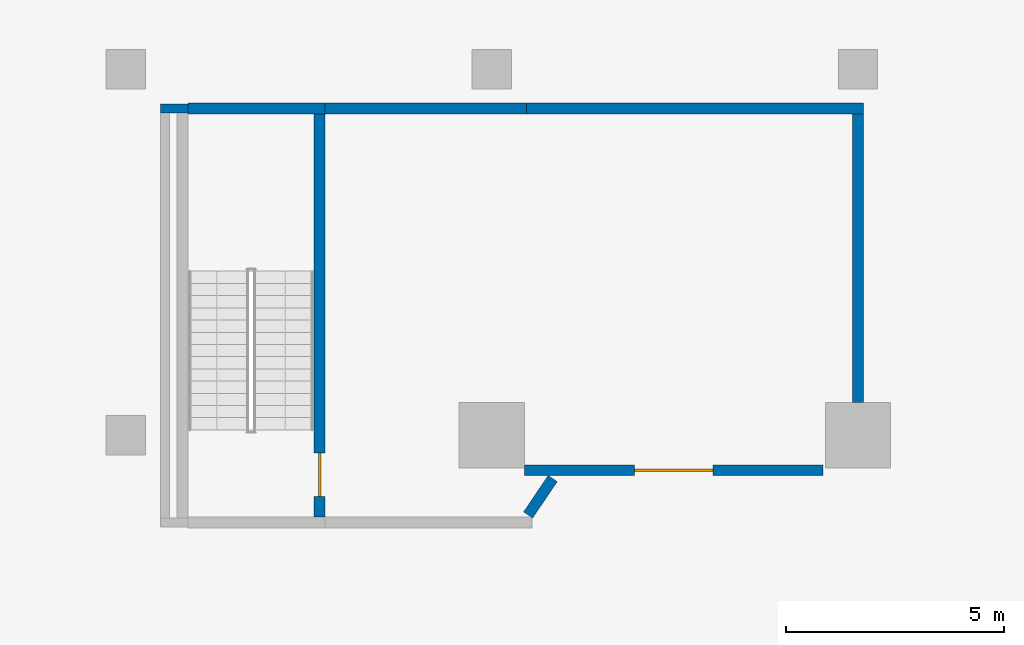
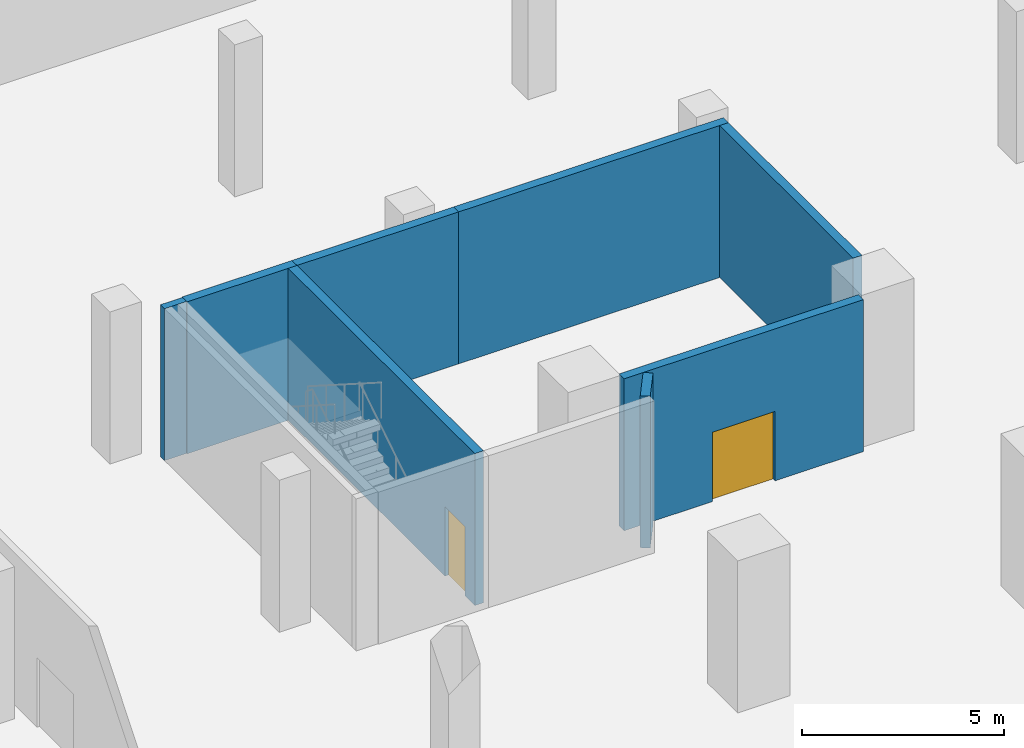
# One storey, part 8 of 20: 8 walls, 2 doors, 2 openings.
"""IFC4 building model written with IfcOpenShell, lengths in metres."""

from ifc_helpers import new_model, si_unit, direction, frame, frame_2d, origin, place, context, subcontext, project, spatial, rectangle, extrude, material, layer, layer_set, type_object, element, fill, save


model = new_model("IFC4")

# Units and contexts
model_context = context("Model", 3, precision=1e-05, world=origin(), true_north=direction((0.0, 1.0)))
body_context = subcontext(model_context, "Body", "Model", "MODEL_VIEW")
ifc_project = project(units=[si_unit("LENGTHUNIT", "METRE"), si_unit("AREAUNIT", "SQUARE_METRE"), si_unit("VOLUMEUNIT", "CUBIC_METRE"), si_unit("PLANEANGLEUNIT", "RADIAN"), si_unit("MASSUNIT", "GRAM", prefix="KILO")], contexts=[model_context])

# Site, building, storey
site_placement = place(None, origin())
site = spatial("IfcSite", under=ifc_project, at=site_placement, CompositionType="ELEMENT")
building_placement = place(site_placement, origin())
building = spatial("IfcBuilding", under=site, at=building_placement, Name="Cantera Rosa Tower", CompositionType="ELEMENT")
storey_placement = place(building_placement, frame((0.0, 0.0, -5.0)))
storey = spatial("IfcBuildingStorey", under=building, at=storey_placement, Name="B1", CompositionType="ELEMENT", Elevation=-5.0)

# Walls
ifc_material_1 = material(Name="Masonry blockwork", Category="masonry")
ifc_layer_1 = layer(ifc_material_1, 0.199951171875)
ifc_layer_set_1 = layer_set([ifc_layer_1], Name="Blockwork partition 200")
wall_type_1 = type_object("IfcWallType", Name="Blockwork partition 200", PredefinedType="PARTITIONING", material=ifc_layer_set_1)
wall_1_placement = place(storey_placement, frame((-32.800048828125, 28.5, 0.0), z_axis=(0.0, 0.0, 1.0), x_axis=(1.0, 0.0, 0.0)))
element("IfcWall", 1, at=wall_1_placement, inside=storey, type_object=wall_type_1, Name="Partition B1-18", PredefinedType="PARTITIONING", context=body_context, shape_type="SweptSolid", body=[
    extrude(rectangle(XDim=0.625, YDim=0.199951171875, at=frame_2d((0.3125, 0.0))), origin(), (0.0, 0.0, 1.0), 4.60009765625),
])
ifc_material_2 = material(Name="Concrete C50/60", Category="concrete")
ifc_layer_2 = layer(ifc_material_2, 0.25)
ifc_layer_set_2 = layer_set([ifc_layer_2], Name="External stair wall 250")
wall_type_2 = type_object("IfcWallType", Name="External stair wall 250", PredefinedType="SOLIDWALL", material=ifc_layer_set_2)
wall_2_placement = place(storey_placement, frame((-32.175048828125, 28.5, 0.0), z_axis=(0.0, 0.0, 1.0), x_axis=(1.0, 0.0, 0.0)))
element("IfcWall", 2, at=wall_2_placement, inside=storey, type_object=wall_type_2, Name="Stair wall B1-19", PredefinedType="SOLIDWALL", context=body_context, shape_type="SweptSolid", body=[
    extrude(rectangle(XDim=3.150146484375, YDim=0.25, at=frame_2d((1.5751953125, 0.0))), origin(), (0.0, 0.0, 1.0), 4.60009765625),
])
ifc_material_3 = material(Name="Masonry blockwork", Category="masonry")
ifc_layer_3 = layer(ifc_material_3, 0.25)
ifc_layer_set_3 = layer_set([ifc_layer_3], Name="Fire-rated external wall 250")
wall_type_3 = type_object("IfcWallType", Name="Fire-rated external wall 250", PredefinedType="PARTITIONING", material=ifc_layer_set_3)
wall_3_placement = place(storey_placement, frame((-29.02490234375, 28.5, 0.0), z_axis=(0.0, 0.0, 1.0), x_axis=(1.0, 0.0, 0.0)))
element("IfcWall", 3, at=wall_3_placement, inside=storey, type_object=wall_type_3, Name="Fire wall B1-20", PredefinedType="PARTITIONING", context=body_context, shape_type="SweptSolid", body=[
    extrude(rectangle(XDim=4.625, YDim=0.25, at=frame_2d((2.3125, 0.0))), origin(), (0.0, 0.0, 1.0), 4.60009765625),
])
wall_4_placement = place(storey_placement, frame((-24.39990234375, 28.5, 0.0), z_axis=(0.0, 0.0, 1.0), x_axis=(1.0, 0.0, 0.0)))
element("IfcWall", 4, at=wall_4_placement, inside=storey, type_object=wall_type_3, Name="Fire wall B1-21", PredefinedType="PARTITIONING", context=body_context, shape_type="SweptSolid", body=[
    extrude(rectangle(XDim=7.724853515625, YDim=0.25, at=frame_2d((3.8623046875, 0.0))), origin(), (0.0, 0.0, 1.0), 4.60009765625),
])
wall_5_placement = place(storey_placement, frame((-16.800048828125, 21.75, 0.0), z_axis=(0.0, 0.0, 1.0), x_axis=(0.0, 1.0, 0.0)))
element("IfcWall", 5, at=wall_5_placement, inside=storey, type_object=wall_type_3, Name="Fire wall B1-47", PredefinedType="PARTITIONING", context=body_context, shape_type="SweptSolid", body=[
    extrude(rectangle(XDim=6.625, YDim=0.25, at=frame_2d((3.3125, 0.0))), origin(), (0.0, 0.0, 1.0), 4.60009765625),
])

# Wall, opening, door
ifc_material_4 = material(Name="Masonry blockwork", Category="masonry")
ifc_layer_4 = layer(ifc_material_4, 0.25)
ifc_layer_set_4 = layer_set([ifc_layer_4], Name="Fire-rated wall 250")
wall_type_4 = type_object("IfcWallType", Name="Fire-rated wall 250", PredefinedType="PARTITIONING", material=ifc_layer_set_4)
wall_6_placement = place(storey_placement, frame((-24.449951171875, 20.199951171875, 0.0), z_axis=(0.0, 0.0, 1.0), x_axis=(1.0, 0.0, 0.0)))
wall_6 = element("IfcWall", 6, at=wall_6_placement, inside=storey, type_object=wall_type_4, Name="Fire wall B1-38", PredefinedType="PARTITIONING", context=body_context, shape_type="SweptSolid", body=[
    extrude(rectangle(XDim=6.849853515625, YDim=0.25, at=frame_2d((3.4248046875, 0.0))), origin(), (0.0, 0.0, 1.0), 4.60009765625),
])
opening_1_placement = place(wall_6_placement, frame((2.52490234375, 0.0, 0.0)))
opening_1 = element("IfcOpeningElement", 7, at=opening_1_placement, cuts=wall_6, Name="Opening B1-003", PredefinedType="OPENING", context=body_context, shape_type="SweptSolid", body=[
    extrude(rectangle(XDim=1.800048828125, YDim=2.10009765625, at=frame_2d((0.89990234375, 1.050048828125))), frame((0.0, 0.135009765625, 0.0), z_axis=(0.0, -1.0, 0.0), x_axis=(1.0, 0.0, 0.0)), (0.0, 0.0, 1.0), 0.27001953125),
])
ifc_material_5 = material(Name="Steel S355J2 (EN 10025-2)", Category="steel")
door_type_1 = type_object("IfcDoorType", Name="Fire double door 1800x2100", OperationType="NOTDEFINED", PredefinedType="DOOR", material=ifc_material_5)
door_1_placement = place(opening_1_placement, origin())
door_1 = element("IfcDoor", 8, at=door_1_placement, inside=storey, type_object=door_type_1, Name="Door B1-003", OperationType="DOUBLE_DOOR_SINGLE_SWING", OverallHeight=2.10009765625, OverallWidth=1.800048828125, PredefinedType="DOOR", context=body_context, shape_type="SweptSolid", body=[
    extrude(rectangle(XDim=1.800048828125, YDim=2.10009765625, at=frame_2d((0.89990234375, 1.050048828125))), frame((0.0, 0.02490234375, 0.0), z_axis=(0.0, -1.0, 0.0), x_axis=(1.0, 0.0, 0.0)), (0.0, 0.0, 1.0), 0.050048828125),
])
fill(opening_1, door_1)

# Wall
wall_7_placement = place(storey_placement, frame((-24.366455078125, 19.1748046875, 0.0), z_axis=(0.0, 0.0, 1.0), x_axis=(0.559172704165, 0.829051196801, 0.0)))
element("IfcWall", 9, at=wall_7_placement, inside=storey, type_object=wall_type_4, Name="Fire wall B1-49", PredefinedType="PARTITIONING", context=body_context, shape_type="SweptSolid", body=[
    extrude(rectangle(XDim=1.005859375, YDim=0.25, at=frame_2d((0.5029296875, 0.0))), origin(), (0.0, 0.0, 1.0), 4.60009765625),
])

# Wall, opening, door
ifc_material_6 = material(Name="Concrete C50/60", Category="concrete")
ifc_layer_5 = layer(ifc_material_6, 0.25)
ifc_layer_set_5 = layer_set([ifc_layer_5], Name="RC stair wall 250 C50/60")
wall_type_5 = type_object("IfcWallType", Name="RC stair wall 250", PredefinedType="SOLIDWALL", material=ifc_layer_set_5)
wall_8_placement = place(storey_placement, frame((-29.14990234375, 19.125, 0.0), z_axis=(0.0, 0.0, 1.0), x_axis=(0.0, 1.0, 0.0)))
wall_8 = element("IfcWall", 10, at=wall_8_placement, inside=storey, type_object=wall_type_5, Name="Stair wall B1-41", PredefinedType="SOLIDWALL", context=body_context, shape_type="SweptSolid", body=[
    extrude(rectangle(XDim=9.25, YDim=0.25, at=frame_2d((4.625, 0.0))), origin(), (0.0, 0.0, 1.0), 4.60009765625),
])
opening_2_placement = place(wall_8_placement, frame((0.47509765625, 0.0, 0.0)))
opening_2 = element("IfcOpeningElement", 11, at=opening_2_placement, cuts=wall_8, Name="Opening B1-004", PredefinedType="OPENING", context=body_context, shape_type="SweptSolid", body=[
    extrude(rectangle(XDim=1.0, YDim=2.10009765625, at=frame_2d((0.5, 1.050048828125))), frame((0.0, 0.135009765625, 0.0), z_axis=(0.0, -1.0, 0.0), x_axis=(1.0, 0.0, 0.0)), (0.0, 0.0, 1.0), 0.27001953125),
])
ifc_material_7 = material(Name="Steel S355J2 (EN 10025-2)", Category="steel")
door_type_2 = type_object("IfcDoorType", Name="Fire door 1000x2100 EI 120", OperationType="NOTDEFINED", PredefinedType="DOOR", material=ifc_material_7)
door_2_placement = place(opening_2_placement, origin())
door_2 = element("IfcDoor", 12, at=door_2_placement, inside=storey, type_object=door_type_2, Name="Door B1-004", OverallHeight=2.10009765625, OverallWidth=1.0, PredefinedType="DOOR", context=body_context, shape_type="SweptSolid", body=[
    extrude(rectangle(XDim=1.0, YDim=2.10009765625, at=frame_2d((0.5, 1.050048828125))), frame((0.0, 0.02490234375, 0.0), z_axis=(0.0, -1.0, 0.0), x_axis=(1.0, 0.0, 0.0)), (0.0, 0.0, 1.0), 0.050048828125),
])
fill(opening_2, door_2)

save(model, "model.ifc")
